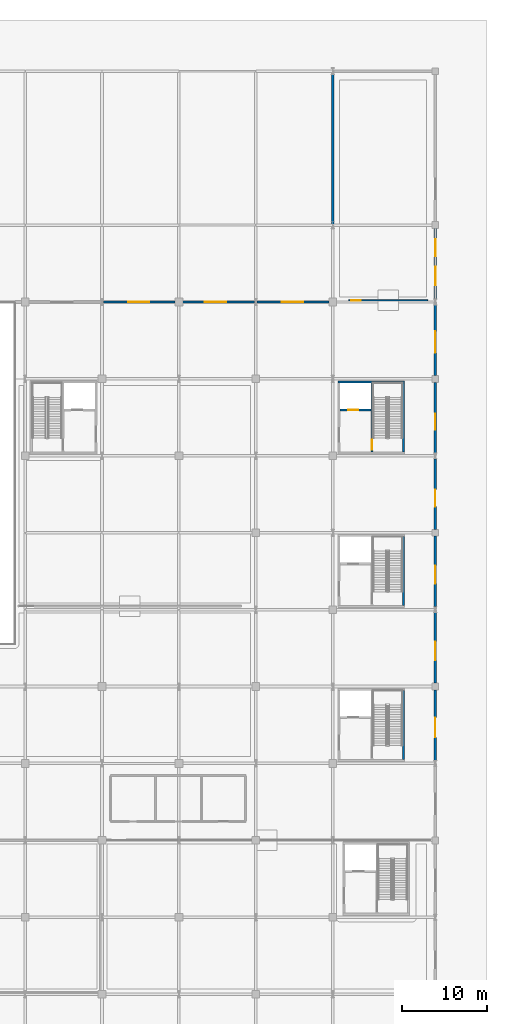
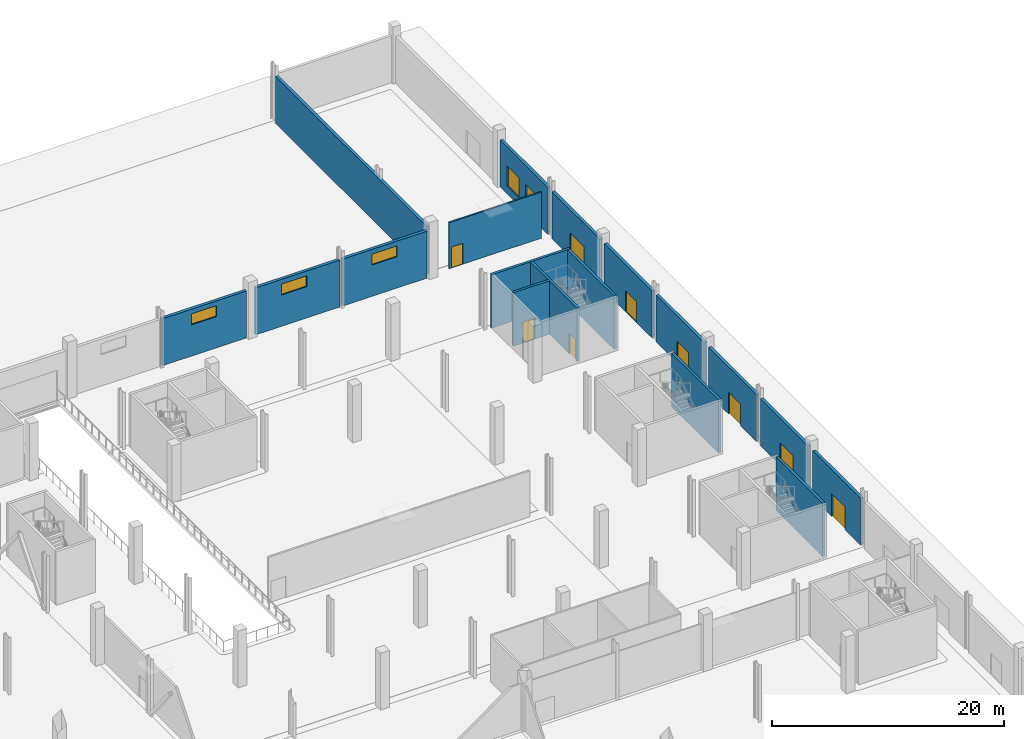
# One storey, part 37 of 58: 18 walls, 9 doors, 5 windows, 14 openings.
"""IFC4 building model written with IfcOpenShell, lengths in metres."""

from ifc_helpers import new_model, si_unit, direction, frame, frame_2d, origin, place, context, subcontext, project, spatial, rectangle, extrude, material, layer, layer_set, type_object, element, fill, save


model = new_model("IFC4")

# Units and contexts
model_context = context("Model", 3, precision=1e-05, world=origin(), true_north=direction((0.0, 1.0)))
body_context = subcontext(model_context, "Body", "Model", "MODEL_VIEW")
ifc_project = project(units=[si_unit("LENGTHUNIT", "METRE"), si_unit("AREAUNIT", "SQUARE_METRE"), si_unit("VOLUMEUNIT", "CUBIC_METRE"), si_unit("PLANEANGLEUNIT", "RADIAN"), si_unit("MASSUNIT", "GRAM", prefix="KILO")], contexts=[model_context])

# Site, building, storey
site_placement = place(None, origin())
site = spatial("IfcSite", under=ifc_project, at=site_placement, CompositionType="ELEMENT")
building_placement = place(site_placement, origin())
building = spatial("IfcBuilding", under=site, at=building_placement, Name="Barlavento Convention Centre", CompositionType="ELEMENT")
storey_placement = place(building_placement, origin())
storey = spatial("IfcBuildingStorey", under=building, at=storey_placement, Name="L00", CompositionType="ELEMENT", Elevation=0.0)

# Wall, opening, door
ifc_material_1 = material(Name="Glazed white architectural terracotta on Concrete C40/50", Category="masonry")
ifc_layer_1 = layer(ifc_material_1, 0.2900390625)
ifc_layer_set_1 = layer_set([ifc_layer_1], Name="ARC-WL-EXT-290")
wall_type_1 = type_object("IfcWallType", Name="ARC-WL-EXT-290", PredefinedType="SOLIDWALL", material=ifc_layer_set_1)
wall_1_placement = place(storey_placement, frame((192.0, 54.35302734375, 0.0), z_axis=(0.0, 0.0, 1.0), x_axis=(0.0, 1.0, 0.0)))
wall_1 = element("IfcWall", 1, at=wall_1_placement, inside=storey, type_object=wall_type_1, Name="L00 exterior wall EW02", PredefinedType="SOLIDWALL", context=body_context, shape_type="SweptSolid", body=[
    extrude(rectangle(XDim=8.251953125, YDim=0.2900390625, at=frame_2d((4.1259765625, 0.0))), origin(), (0.0, 0.0, 1.0), 4.949951171875),
])
opening_1_placement = place(wall_1_placement, frame((2.697021484375, 0.0, 0.0)))
opening_1 = element("IfcOpeningElement", 2, at=opening_1_placement, cuts=wall_1, Name="Opening EX-44", PredefinedType="OPENING", context=body_context, shape_type="SweptSolid", body=[
    extrude(rectangle(XDim=2.300048828125, YDim=2.39990234375, at=frame_2d((1.14990234375, 1.199951171875))), frame((0.0, 0.155029296875, 0.0), z_axis=(0.0, -1.0, 0.0), x_axis=(1.0, 0.0, 0.0)), (0.0, 0.0, 1.0), 0.31005859375),
])
ifc_material_2 = material(Name="Anodized aluminium and tempered glass", Category="aluminium")
door_type_1 = type_object("IfcDoorType", Name="ARC-DR-EXIT-2300X2400", OperationType="DOUBLE_DOOR_SINGLE_SWING", PredefinedType="DOOR", material=ifc_material_2)
door_1_placement = place(opening_1_placement, origin())
door_1 = element("IfcDoor", 3, at=door_1_placement, inside=storey, type_object=door_type_1, Name="DR-EXT-L00-0044 East street pedestrian exit door EX-44", OperationType="DOUBLE_DOOR_SINGLE_SWING", OverallHeight=2.39990234375, OverallWidth=2.300048828125, PredefinedType="DOOR", context=body_context, shape_type="SweptSolid", body=[
    extrude(rectangle(XDim=2.300048828125, YDim=2.39990234375, at=frame_2d((1.14990234375, 1.199951171875))), frame((0.0, 0.02490234375, 0.0), z_axis=(0.0, -1.0, 0.0), x_axis=(1.0, 0.0, 0.0)), (0.0, 0.0, 1.0), 0.050048828125),
])
fill(opening_1, door_1)

wall_2_placement = place(storey_placement, frame((192.0, 63.39501953125, 0.0), z_axis=(0.0, 0.0, 1.0), x_axis=(0.0, 1.0, 0.0)))
wall_2 = element("IfcWall", 4, at=wall_2_placement, inside=storey, type_object=wall_type_1, Name="L00 exterior wall EW02", PredefinedType="SOLIDWALL", context=body_context, shape_type="SweptSolid", body=[
    extrude(rectangle(XDim=8.251953125, YDim=0.2900390625, at=frame_2d((4.1259765625, 0.0))), origin(), (0.0, 0.0, 1.0), 4.949951171875),
])
opening_2_placement = place(wall_2_placement, frame((2.655029296875, 0.0, 0.0)))
opening_2 = element("IfcOpeningElement", 5, at=opening_2_placement, cuts=wall_2, Name="Opening EX-45", PredefinedType="OPENING", context=body_context, shape_type="SweptSolid", body=[
    extrude(rectangle(XDim=2.199951171875, YDim=2.35009765625, at=frame_2d((1.10009765625, 1.175048828125))), frame((0.0, 0.155029296875, 0.0), z_axis=(0.0, -1.0, 0.0), x_axis=(1.0, 0.0, 0.0)), (0.0, 0.0, 1.0), 0.31005859375),
])
door_type_2 = type_object("IfcDoorType", Name="ARC-DR-EXIT-2200X2350", OperationType="DOUBLE_DOOR_SINGLE_SWING", PredefinedType="DOOR", material=ifc_material_2)
door_2_placement = place(opening_2_placement, origin())
door_2 = element("IfcDoor", 6, at=door_2_placement, inside=storey, type_object=door_type_2, Name="DR-EXT-L00-0045 East street pedestrian exit door EX-45", OperationType="DOUBLE_DOOR_SINGLE_SWING", OverallHeight=2.35009765625, OverallWidth=2.199951171875, PredefinedType="DOOR", context=body_context, shape_type="SweptSolid", body=[
    extrude(rectangle(XDim=2.199951171875, YDim=2.35009765625, at=frame_2d((1.10009765625, 1.175048828125))), frame((0.0, 0.02490234375, 0.0), z_axis=(0.0, -1.0, 0.0), x_axis=(1.0, 0.0, 0.0)), (0.0, 0.0, 1.0), 0.050048828125),
])
fill(opening_2, door_2)

wall_3_placement = place(storey_placement, frame((192.0, 72.35302734375, 0.0), z_axis=(0.0, 0.0, 1.0), x_axis=(0.0, 1.0, 0.0)))
wall_3 = element("IfcWall", 7, at=wall_3_placement, inside=storey, type_object=wall_type_1, Name="L00 exterior wall EW02", PredefinedType="SOLIDWALL", context=body_context, shape_type="SweptSolid", body=[
    extrude(rectangle(XDim=8.251953125, YDim=0.2900390625, at=frame_2d((4.1259765625, 0.0))), origin(), (0.0, 0.0, 1.0), 4.949951171875),
])
opening_3_placement = place(wall_3_placement, frame((2.697021484375, 0.0, 0.0)))
opening_3 = element("IfcOpeningElement", 8, at=opening_3_placement, cuts=wall_3, Name="Opening EX-46", PredefinedType="OPENING", context=body_context, shape_type="SweptSolid", body=[
    extrude(rectangle(XDim=2.10009765625, YDim=2.300048828125, at=frame_2d((1.050048828125, 1.14990234375))), frame((0.0, 0.155029296875, 0.0), z_axis=(0.0, -1.0, 0.0), x_axis=(1.0, 0.0, 0.0)), (0.0, 0.0, 1.0), 0.31005859375),
])
ifc_material_3 = material(Name="Painted galvanized steel", Category="steel")
door_type_3 = type_object("IfcDoorType", Name="ARC-DR-EXIT-2100X2300", OperationType="DOUBLE_DOOR_SINGLE_SWING", PredefinedType="DOOR", material=ifc_material_3)
door_3_placement = place(opening_3_placement, origin())
door_3 = element("IfcDoor", 9, at=door_3_placement, inside=storey, type_object=door_type_3, Name="DR-EXT-L00-0046 East street pedestrian exit door EX-46", OperationType="DOUBLE_DOOR_SINGLE_SWING", OverallHeight=2.300048828125, OverallWidth=2.10009765625, PredefinedType="DOOR", context=body_context, shape_type="SweptSolid", body=[
    extrude(rectangle(XDim=2.10009765625, YDim=2.300048828125, at=frame_2d((1.050048828125, 1.14990234375))), frame((0.0, 0.02490234375, 0.0), z_axis=(0.0, -1.0, 0.0), x_axis=(1.0, 0.0, 0.0)), (0.0, 0.0, 1.0), 0.050048828125),
])
fill(opening_3, door_3)

wall_4_placement = place(storey_placement, frame((192.0, 81.39501953125, 0.0), z_axis=(0.0, 0.0, 1.0), x_axis=(0.0, 1.0, 0.0)))
wall_4 = element("IfcWall", 10, at=wall_4_placement, inside=storey, type_object=wall_type_1, Name="L00 exterior wall EW02", PredefinedType="SOLIDWALL", context=body_context, shape_type="SweptSolid", body=[
    extrude(rectangle(XDim=8.251953125, YDim=0.2900390625, at=frame_2d((4.1259765625, 0.0))), origin(), (0.0, 0.0, 1.0), 4.949951171875),
])
opening_4_placement = place(wall_4_placement, frame((2.655029296875, 0.0, 0.0)))
opening_4 = element("IfcOpeningElement", 11, at=opening_4_placement, cuts=wall_4, Name="Opening EX-47", PredefinedType="OPENING", context=body_context, shape_type="SweptSolid", body=[
    extrude(rectangle(XDim=2.0, YDim=2.25, at=frame_2d((1.0, 1.125))), frame((0.0, 0.155029296875, 0.0), z_axis=(0.0, -1.0, 0.0), x_axis=(1.0, 0.0, 0.0)), (0.0, 0.0, 1.0), 0.31005859375),
])
door_type_4 = type_object("IfcDoorType", Name="ARC-DR-EXIT-2000X2250", OperationType="DOUBLE_DOOR_SINGLE_SWING", PredefinedType="DOOR", material=ifc_material_3)
door_4_placement = place(opening_4_placement, origin())
door_4 = element("IfcDoor", 12, at=door_4_placement, inside=storey, type_object=door_type_4, Name="DR-EXT-L00-0047 East street pedestrian exit door EX-47", OperationType="DOUBLE_DOOR_SINGLE_SWING", OverallHeight=2.25, OverallWidth=2.0, PredefinedType="DOOR", context=body_context, shape_type="SweptSolid", body=[
    extrude(rectangle(XDim=2.0, YDim=2.25, at=frame_2d((1.0, 1.125))), frame((0.0, 0.02490234375, 0.0), z_axis=(0.0, -1.0, 0.0), x_axis=(1.0, 0.0, 0.0)), (0.0, 0.0, 1.0), 0.050048828125),
])
fill(opening_4, door_4)

wall_5_placement = place(storey_placement, frame((192.0, 90.35302734375, 0.0), z_axis=(0.0, 0.0, 1.0), x_axis=(0.0, 1.0, 0.0)))
wall_5 = element("IfcWall", 13, at=wall_5_placement, inside=storey, type_object=wall_type_1, Name="L00 exterior wall EW02", PredefinedType="SOLIDWALL", context=body_context, shape_type="SweptSolid", body=[
    extrude(rectangle(XDim=8.251953125, YDim=0.2900390625, at=frame_2d((4.1259765625, 0.0))), origin(), (0.0, 0.0, 1.0), 4.949951171875),
])
opening_5_placement = place(wall_5_placement, frame((2.697021484375, 0.0, 0.0)))
opening_5 = element("IfcOpeningElement", 14, at=opening_5_placement, cuts=wall_5, Name="Opening EX-48", PredefinedType="OPENING", context=body_context, shape_type="SweptSolid", body=[
    extrude(rectangle(XDim=1.89990234375, YDim=2.199951171875, at=frame_2d((0.949951171875, 1.10009765625))), frame((0.0, 0.155029296875, 0.0), z_axis=(0.0, -1.0, 0.0), x_axis=(1.0, 0.0, 0.0)), (0.0, 0.0, 1.0), 0.31005859375),
])
door_type_5 = type_object("IfcDoorType", Name="ARC-DR-EXIT-1900X2200", OperationType="DOUBLE_DOOR_SINGLE_SWING", PredefinedType="DOOR", material=ifc_material_3)
door_5_placement = place(opening_5_placement, origin())
door_5 = element("IfcDoor", 15, at=door_5_placement, inside=storey, type_object=door_type_5, Name="DR-EXT-L00-0048 East street pedestrian exit door EX-48", OperationType="DOUBLE_DOOR_SINGLE_SWING", OverallHeight=2.199951171875, OverallWidth=1.89990234375, PredefinedType="DOOR", context=body_context, shape_type="SweptSolid", body=[
    extrude(rectangle(XDim=1.89990234375, YDim=2.199951171875, at=frame_2d((0.949951171875, 1.10009765625))), frame((0.0, 0.02490234375, 0.0), z_axis=(0.0, -1.0, 0.0), x_axis=(1.0, 0.0, 0.0)), (0.0, 0.0, 1.0), 0.050048828125),
])
fill(opening_5, door_5)

wall_6_placement = place(storey_placement, frame((192.0, 99.39501953125, 0.0), z_axis=(0.0, 0.0, 1.0), x_axis=(0.0, 1.0, 0.0)))
wall_6 = element("IfcWall", 16, at=wall_6_placement, inside=storey, type_object=wall_type_1, Name="L00 exterior wall EW02", PredefinedType="SOLIDWALL", context=body_context, shape_type="SweptSolid", body=[
    extrude(rectangle(XDim=8.251953125, YDim=0.2900390625, at=frame_2d((4.1259765625, 0.0))), origin(), (0.0, 0.0, 1.0), 4.949951171875),
])
opening_6_placement = place(wall_6_placement, frame((2.655029296875, 0.0, 0.0)))
opening_6 = element("IfcOpeningElement", 17, at=opening_6_placement, cuts=wall_6, Name="Opening EX-49", PredefinedType="OPENING", context=body_context, shape_type="SweptSolid", body=[
    extrude(rectangle(XDim=2.5, YDim=2.5, at=frame_2d((1.25, 1.25))), frame((0.0, 0.155029296875, 0.0), z_axis=(0.0, -1.0, 0.0), x_axis=(1.0, 0.0, 0.0)), (0.0, 0.0, 1.0), 0.31005859375),
])
door_type_6 = type_object("IfcDoorType", Name="ARC-DR-EXIT-2500X2500", OperationType="DOUBLE_DOOR_SINGLE_SWING", PredefinedType="DOOR", material=ifc_material_2)
door_6_placement = place(opening_6_placement, origin())
door_6 = element("IfcDoor", 18, at=door_6_placement, inside=storey, type_object=door_type_6, Name="DR-EXT-L00-0049 East street pedestrian exit door EX-49", OperationType="DOUBLE_DOOR_SINGLE_SWING", OverallHeight=2.5, OverallWidth=2.5, PredefinedType="DOOR", context=body_context, shape_type="SweptSolid", body=[
    extrude(rectangle(XDim=2.5, YDim=2.5, at=frame_2d((1.25, 1.25))), frame((0.0, 0.02490234375, 0.0), z_axis=(0.0, -1.0, 0.0), x_axis=(1.0, 0.0, 0.0)), (0.0, 0.0, 1.0), 0.050048828125),
])
fill(opening_6, door_6)

# Wall, openings, windows
wall_7_placement = place(storey_placement, frame((192.0, 108.35302734375, 0.0), z_axis=(0.0, 0.0, 1.0), x_axis=(0.0, 1.0, 0.0)))
wall_7 = element("IfcWall", 19, at=wall_7_placement, inside=storey, type_object=wall_type_1, Name="L00 exterior wall EW02", PredefinedType="SOLIDWALL", context=body_context, shape_type="SweptSolid", body=[
    extrude(rectangle(XDim=8.251953125, YDim=0.2900390625, at=frame_2d((4.1259765625, 0.0))), origin(), (0.0, 0.0, 1.0), 4.949951171875),
])
opening_7_placement = place(wall_7_placement, frame((1.596923828125, 0.0, 0.85009765625)))
opening_7 = element("IfcOpeningElement", 20, at=opening_7_placement, cuts=wall_7, Name="Opening WN04", PredefinedType="OPENING", context=body_context, shape_type="SweptSolid", body=[
    extrude(rectangle(XDim=2.199951171875, YDim=2.10009765625, at=frame_2d((1.10009765625, 1.050048828125))), frame((0.0, 0.155029296875, 0.0), z_axis=(0.0, -1.0, 0.0), x_axis=(1.0, 0.0, 0.0)), (0.0, 0.0, 1.0), 0.31005859375),
])
opening_8_placement = place(wall_7_placement, frame((4.9970703125, 0.0, 0.85009765625)))
opening_8 = element("IfcOpeningElement", 21, at=opening_8_placement, cuts=wall_7, Name="Opening WN05", PredefinedType="OPENING", context=body_context, shape_type="SweptSolid", body=[
    extrude(rectangle(XDim=2.0, YDim=2.10009765625, at=frame_2d((1.0, 1.050048828125))), frame((0.0, 0.155029296875, 0.0), z_axis=(0.0, -1.0, 0.0), x_axis=(1.0, 0.0, 0.0)), (0.0, 0.0, 1.0), 0.31005859375),
])
ifc_material_4 = material(Name="Double-silver Low-E insulated glass", Category="glass")
window_type_1 = type_object("IfcWindowType", Name="ARC-WN-VIS-2000X2100", PartitioningType="DOUBLE_PANEL_VERTICAL", PredefinedType="WINDOW", material=ifc_material_4)
window_1_placement = place(opening_8_placement, origin())
window_1 = element("IfcWindow", 22, at=window_1_placement, inside=storey, type_object=window_type_1, Name="L00 exterior Low-E window WN05", OverallHeight=2.10009765625, OverallWidth=2.0, PartitioningType="SINGLE_PANEL", PredefinedType="WINDOW", context=body_context, shape_type="SweptSolid", body=[
    extrude(rectangle(XDim=2.0, YDim=2.10009765625, at=frame_2d((1.0, 1.050048828125))), frame((0.0, 0.030029296875, 0.0), z_axis=(0.0, -1.0, 0.0), x_axis=(1.0, 0.0, 0.0)), (0.0, 0.0, 1.0), 0.06005859375),
])
fill(opening_8, window_1)
window_type_2 = type_object("IfcWindowType", Name="ARC-WN-VIS-2200X2100", PartitioningType="DOUBLE_PANEL_VERTICAL", PredefinedType="WINDOW", material=ifc_material_4)
window_2_placement = place(opening_7_placement, origin())
window_2 = element("IfcWindow", 23, at=window_2_placement, inside=storey, type_object=window_type_2, Name="L00 exterior Low-E window WN04", OverallHeight=2.10009765625, OverallWidth=2.199951171875, PartitioningType="SINGLE_PANEL", PredefinedType="WINDOW", context=body_context, shape_type="SweptSolid", body=[
    extrude(rectangle(XDim=2.199951171875, YDim=2.10009765625, at=frame_2d((1.10009765625, 1.050048828125))), frame((0.0, 0.030029296875, 0.0), z_axis=(0.0, -1.0, 0.0), x_axis=(1.0, 0.0, 0.0)), (0.0, 0.0, 1.0), 0.06005859375),
])
fill(opening_7, window_2)

# Wall, opening, window
wall_8_placement = place(storey_placement, frame((153.146484375, 108.0, 0.0), z_axis=(0.0, 0.0, 1.0), x_axis=(1.0, 0.0, 0.0)))
wall_8 = element("IfcWall", 24, at=wall_8_placement, inside=storey, type_object=wall_type_1, Name="L00 exterior wall EW02", PredefinedType="SOLIDWALL", context=body_context, shape_type="SweptSolid", body=[
    extrude(rectangle(XDim=8.408447265625, YDim=0.2900390625, at=frame_2d((4.2041015625, 0.0))), origin(), (0.0, 0.0, 1.0), 4.949951171875),
])
opening_9_placement = place(wall_8_placement, frame((2.903564453125, 0.0, 3.300048828125)))
opening_9 = element("IfcOpeningElement", 25, at=opening_9_placement, cuts=wall_8, Name="Opening WN17", PredefinedType="OPENING", context=body_context, shape_type="SweptSolid", body=[
    extrude(rectangle(XDim=2.5, YDim=1.14990234375, at=frame_2d((1.25, 0.574951171875))), frame((0.0, 0.155029296875, 0.0), z_axis=(0.0, -1.0, 0.0), x_axis=(1.0, 0.0, 0.0)), (0.0, 0.0, 1.0), 0.31005859375),
])
window_type_3 = type_object("IfcWindowType", Name="ARC-WN-CLER-2500X1150", PartitioningType="DOUBLE_PANEL_VERTICAL", PredefinedType="WINDOW", material=ifc_material_4)
window_3_placement = place(opening_9_placement, origin())
window_3 = element("IfcWindow", 26, at=window_3_placement, inside=storey, type_object=window_type_3, Name="L00 exterior Low-E window WN17", OverallHeight=1.14990234375, OverallWidth=2.5, PartitioningType="SINGLE_PANEL", PredefinedType="WINDOW", context=body_context, shape_type="SweptSolid", body=[
    extrude(rectangle(XDim=2.5, YDim=1.14990234375, at=frame_2d((1.25, 0.574951171875))), frame((0.0, 0.030029296875, 0.0), z_axis=(0.0, -1.0, 0.0), x_axis=(1.0, 0.0, 0.0)), (0.0, 0.0, 1.0), 0.06005859375),
])
fill(opening_9, window_3)

wall_9_placement = place(storey_placement, frame((162.445068359375, 108.0, 0.0), z_axis=(0.0, 0.0, 1.0), x_axis=(1.0, 0.0, 0.0)))
wall_9 = element("IfcWall", 27, at=wall_9_placement, inside=storey, type_object=wall_type_1, Name="L00 exterior wall EW02", PredefinedType="SOLIDWALL", context=body_context, shape_type="SweptSolid", body=[
    extrude(rectangle(XDim=8.408447265625, YDim=0.2900390625, at=frame_2d((4.2041015625, 0.0))), origin(), (0.0, 0.0, 1.0), 4.949951171875),
])
opening_10_placement = place(wall_9_placement, frame((2.60498046875, 0.0, 3.300048828125)))
opening_10 = element("IfcOpeningElement", 28, at=opening_10_placement, cuts=wall_9, Name="Opening WN17", PredefinedType="OPENING", context=body_context, shape_type="SweptSolid", body=[
    extrude(rectangle(XDim=2.5, YDim=1.14990234375, at=frame_2d((1.25, 0.574951171875))), frame((0.0, 0.155029296875, 0.0), z_axis=(0.0, -1.0, 0.0), x_axis=(1.0, 0.0, 0.0)), (0.0, 0.0, 1.0), 0.31005859375),
])
window_4_placement = place(opening_10_placement, origin())
window_4 = element("IfcWindow", 29, at=window_4_placement, inside=storey, type_object=window_type_3, Name="L00 exterior Low-E window WN17", OverallHeight=1.14990234375, OverallWidth=2.5, PartitioningType="SINGLE_PANEL", PredefinedType="WINDOW", context=body_context, shape_type="SweptSolid", body=[
    extrude(rectangle(XDim=2.5, YDim=1.14990234375, at=frame_2d((1.25, 0.574951171875))), frame((0.0, 0.030029296875, 0.0), z_axis=(0.0, -1.0, 0.0), x_axis=(1.0, 0.0, 0.0)), (0.0, 0.0, 1.0), 0.06005859375),
])
fill(opening_10, window_4)

wall_10_placement = place(storey_placement, frame((171.146484375, 108.0, 0.0), z_axis=(0.0, 0.0, 1.0), x_axis=(1.0, 0.0, 0.0)))
wall_10 = element("IfcWall", 30, at=wall_10_placement, inside=storey, type_object=wall_type_1, Name="L00 exterior wall EW02", PredefinedType="SOLIDWALL", context=body_context, shape_type="SweptSolid", body=[
    extrude(rectangle(XDim=8.408447265625, YDim=0.2900390625, at=frame_2d((4.2041015625, 0.0))), origin(), (0.0, 0.0, 1.0), 4.949951171875),
])
opening_11_placement = place(wall_10_placement, frame((2.903564453125, 0.0, 3.300048828125)))
opening_11 = element("IfcOpeningElement", 31, at=opening_11_placement, cuts=wall_10, Name="Opening WN17", PredefinedType="OPENING", context=body_context, shape_type="SweptSolid", body=[
    extrude(rectangle(XDim=2.5, YDim=1.14990234375, at=frame_2d((1.25, 0.574951171875))), frame((0.0, 0.155029296875, 0.0), z_axis=(0.0, -1.0, 0.0), x_axis=(1.0, 0.0, 0.0)), (0.0, 0.0, 1.0), 0.31005859375),
])
window_5_placement = place(opening_11_placement, origin())
window_5 = element("IfcWindow", 32, at=window_5_placement, inside=storey, type_object=window_type_3, Name="L00 exterior Low-E window WN17", OverallHeight=1.14990234375, OverallWidth=2.5, PartitioningType="SINGLE_PANEL", PredefinedType="WINDOW", context=body_context, shape_type="SweptSolid", body=[
    extrude(rectangle(XDim=2.5, YDim=1.14990234375, at=frame_2d((1.25, 0.574951171875))), frame((0.0, 0.030029296875, 0.0), z_axis=(0.0, -1.0, 0.0), x_axis=(1.0, 0.0, 0.0)), (0.0, 0.0, 1.0), 0.06005859375),
])
fill(opening_11, window_5)

# Wall
wall_11_placement = place(storey_placement, frame((180.0, 108.445068359375, 0.0), z_axis=(0.0, 0.0, 1.0), x_axis=(0.0, 1.0, 0.0)))
element("IfcWall", 33, at=wall_11_placement, inside=storey, type_object=wall_type_1, Name="L00 exterior wall EW02", PredefinedType="SOLIDWALL", context=body_context, shape_type="SweptSolid", body=[
    extrude(rectangle(XDim=26.15283203125, YDim=0.2900390625, at=frame_2d((13.076416015625, 0.0))), origin(), (0.0, 0.0, 1.0), 4.949951171875),
])

# Wall, opening, door
ifc_material_5 = material(Name="Metal stud acoustic partition")
ifc_layer_2 = layer(ifc_material_5, 0.155029296875)
ifc_layer_set_2 = layer_set([ifc_layer_2], Name="ARC-WL-PART-155")
wall_type_2 = type_object("IfcWallType", Name="ARC-WL-PART-155", PredefinedType="PARTITIONING", material=ifc_layer_set_2)
wall_12_placement = place(storey_placement, frame((181.89990234375, 108.199951171875, 0.0), z_axis=(0.0, 0.0, 1.0), x_axis=(1.0, 0.0, 0.0)))
wall_12 = element("IfcWall", 34, at=wall_12_placement, inside=storey, type_object=wall_type_2, Name="L00 interior wall PT-03", PredefinedType="PARTITIONING", context=body_context, shape_type="SweptSolid", body=[
    extrude(rectangle(XDim=9.2001953125, YDim=0.155029296875, at=frame_2d((4.60009765625, 0.0))), origin(), (0.0, 0.0, 1.0), 4.85009765625),
])
opening_12_placement = place(wall_12_placement, frame((0.25, 0.0, 0.0)))
opening_12 = element("IfcOpeningElement", 35, at=opening_12_placement, cuts=wall_12, Name="Opening ID-05", PredefinedType="OPENING", context=body_context, shape_type="SweptSolid", body=[
    extrude(rectangle(XDim=1.1201171875, YDim=2.199951171875, at=frame_2d((0.56005859375, 1.10009765625))), frame((0.0, 0.08740234375, 0.0), z_axis=(0.0, -1.0, 0.0), x_axis=(1.0, 0.0, 0.0)), (0.0, 0.0, 1.0), 0.175048828125),
])
ifc_material_6 = material(Name="Timber veneer acoustic core", Category="wood")
door_type_7 = type_object("IfcDoorType", Name="ARC-DR-ROOM-1120X2200", OperationType="NOTDEFINED", PredefinedType="DOOR", material=ifc_material_6)
door_7_placement = place(opening_12_placement, origin())
door_7 = element("IfcDoor", 36, at=door_7_placement, inside=storey, type_object=door_type_7, Name="DR-INT-L00-0220 L00 interior door ID-05", OperationType="SINGLE_SWING_LEFT", OverallHeight=2.199951171875, OverallWidth=1.1201171875, PredefinedType="DOOR", context=body_context, shape_type="SweptSolid", body=[
    extrude(rectangle(XDim=1.1201171875, YDim=2.199951171875, at=frame_2d((0.56005859375, 1.10009765625))), frame((0.0, 0.02490234375, 0.0), z_axis=(0.0, -1.0, 0.0), x_axis=(1.0, 0.0, 0.0)), (0.0, 0.0, 1.0), 0.050048828125),
])
fill(opening_12, door_7)

# Walls
ifc_material_7 = material(Name="Concrete C50/60", Category="concrete")
ifc_layer_3 = layer(ifc_material_7, 0.25)
ifc_layer_set_3 = layer_set([ifc_layer_3], Name="STR-WL-CORE-250")
wall_type_3 = type_object("IfcWallType", Name="STR-WL-CORE-250", PredefinedType="SHEAR", material=ifc_layer_set_3)
for number, where, z_axis, x_axis, name in (
    (37, (188.27490234375, 54.469970703125, 0.0), (0.0, 0.0, 1.0), (0.0, 1.0, 0.0), "L00 interior wall CW-02"),
    (38, (188.27490234375, 72.469970703125, 0.0), (0.0, 0.0, 1.0), (0.0, 1.0, 0.0), "L00 interior wall CW-02"),
    (39, (188.27490234375, 90.469970703125, 0.0), (0.0, 0.0, 1.0), (0.0, 1.0, 0.0), "L00 interior wall CW-02"),
):
    element("IfcWall", number, at=place(storey_placement, frame(where, z_axis=z_axis, x_axis=x_axis)), inside=storey, type_object=wall_type_3, Name=name, PredefinedType="SHEAR", context=body_context, shape_type="SweptSolid", body=[
        extrude(rectangle(XDim=8.06005859375, YDim=0.25, at=frame_2d((4.030029296875, 0.0))), origin(), (0.0, 0.0, 1.0), 5.639892578125),
    ])
wall_13_placement = place(storey_placement, frame((180.60009765625, 98.655029296875, 0.0), z_axis=(0.0, 0.0, 1.0), x_axis=(1.0, 0.0, 0.0)))
element("IfcWall", 40, at=wall_13_placement, inside=storey, type_object=wall_type_3, Name="L00 interior wall CW-02", PredefinedType="SHEAR", context=body_context, shape_type="SweptSolid", body=[
    extrude(rectangle(XDim=7.7998046875, YDim=0.25, at=frame_2d((3.89990234375, 0.0))), origin(), (0.0, 0.0, 1.0), 5.639892578125),
])

# Wall, opening, door
wall_14_placement = place(storey_placement, frame((184.5849609375, 90.469970703125, 0.0), z_axis=(0.0, 0.0, 1.0), x_axis=(0.0, 1.0, 0.0)))
wall_14 = element("IfcWall", 41, at=wall_14_placement, inside=storey, type_object=wall_type_3, Name="L00 interior wall CW-02", PredefinedType="SHEAR", context=body_context, shape_type="SweptSolid", body=[
    extrude(rectangle(XDim=8.06005859375, YDim=0.25, at=frame_2d((4.030029296875, 0.0))), origin(), (0.0, 0.0, 1.0), 5.639892578125),
])
opening_13_placement = place(wall_14_placement, frame((0.25, 0.0, 0.0)))
opening_13 = element("IfcOpeningElement", 42, at=opening_13_placement, cuts=wall_14, Name="Opening FD-03", PredefinedType="OPENING", context=body_context, shape_type="SweptSolid", body=[
    extrude(rectangle(XDim=1.14990234375, YDim=2.14990234375, at=frame_2d((0.574951171875, 1.074951171875))), frame((0.0, 0.135009765625, 0.0), z_axis=(0.0, -1.0, 0.0), x_axis=(1.0, 0.0, 0.0)), (0.0, 0.0, 1.0), 0.27001953125),
])
door_type_8 = type_object("IfcDoorType", Name="ARC-DR-FIRE-1150X2150", OperationType="NOTDEFINED", PredefinedType="DOOR", material=ifc_material_3)
door_8_placement = place(opening_13_placement, origin())
door_8 = element("IfcDoor", 43, at=door_8_placement, inside=storey, type_object=door_type_8, Name="DR-INT-L00-0121 L00 ST08 stair fire door FD-03", OperationType="SINGLE_SWING_LEFT", OverallHeight=2.14990234375, OverallWidth=1.14990234375, PredefinedType="DOOR", context=body_context, shape_type="SweptSolid", body=[
    extrude(rectangle(XDim=1.14990234375, YDim=2.14990234375, at=frame_2d((0.574951171875, 1.074951171875))), frame((0.0, 0.02490234375, 0.0), z_axis=(0.0, -1.0, 0.0), x_axis=(1.0, 0.0, 0.0)), (0.0, 0.0, 1.0), 0.050048828125),
])
fill(opening_13, door_8)

wall_15_placement = place(storey_placement, frame((180.85009765625, 95.3701171875, 0.0), z_axis=(0.0, 0.0, 1.0), x_axis=(1.0, 0.0, 0.0)))
wall_15 = element("IfcWall", 44, at=wall_15_placement, inside=storey, type_object=wall_type_3, Name="L00 interior wall CW-02", PredefinedType="SHEAR", context=body_context, shape_type="SweptSolid", body=[
    extrude(rectangle(XDim=3.60986328125, YDim=0.25, at=frame_2d((1.804931640625, 0.0))), origin(), (0.0, 0.0, 1.0), 5.639892578125),
])
opening_14_placement = place(wall_15_placement, frame((0.949951171875, 0.0, 0.0)))
opening_14 = element("IfcOpeningElement", 45, at=opening_14_placement, cuts=wall_15, Name="Opening LD-01", PredefinedType="OPENING", context=body_context, shape_type="SweptSolid", body=[
    extrude(rectangle(XDim=1.199951171875, YDim=2.199951171875, at=frame_2d((0.60009765625, 1.10009765625))), frame((0.0, 0.135009765625, 0.0), z_axis=(0.0, -1.0, 0.0), x_axis=(1.0, 0.0, 0.0)), (0.0, 0.0, 1.0), 0.27001953125),
])
ifc_material_8 = material(Name="Brushed stainless steel", Category="steel")
door_type_9 = type_object("IfcDoorType", Name="ARC-DR-LIFT-1200X2200", OperationType="DOUBLE_DOOR_SLIDING", PredefinedType="DOOR", material=ifc_material_8)
door_9_placement = place(opening_14_placement, origin())
door_9 = element("IfcDoor", 46, at=door_9_placement, inside=storey, type_object=door_type_9, Name="DR-INT-L00-0122 LP6 lift sliding landing door", OperationType="DOUBLE_DOOR_SLIDING", OverallHeight=2.199951171875, OverallWidth=1.199951171875, PredefinedType="DOOR", context=body_context, shape_type="SweptSolid", body=[
    extrude(rectangle(XDim=1.199951171875, YDim=2.199951171875, at=frame_2d((0.60009765625, 1.10009765625))), frame((0.0, 0.02490234375, 0.0), z_axis=(0.0, -1.0, 0.0), x_axis=(1.0, 0.0, 0.0)), (0.0, 0.0, 1.0), 0.050048828125),
])
fill(opening_14, door_9)

save(model, "model.ifc")
